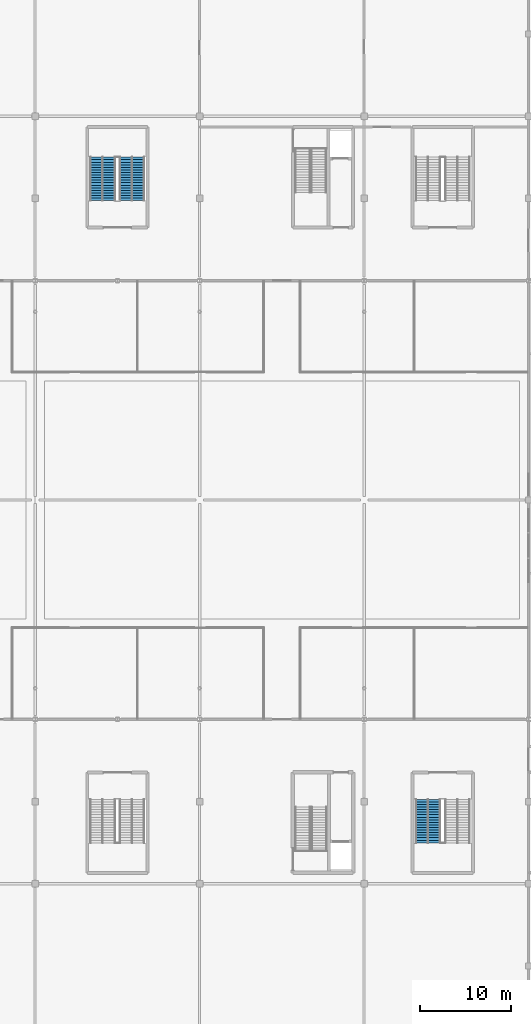
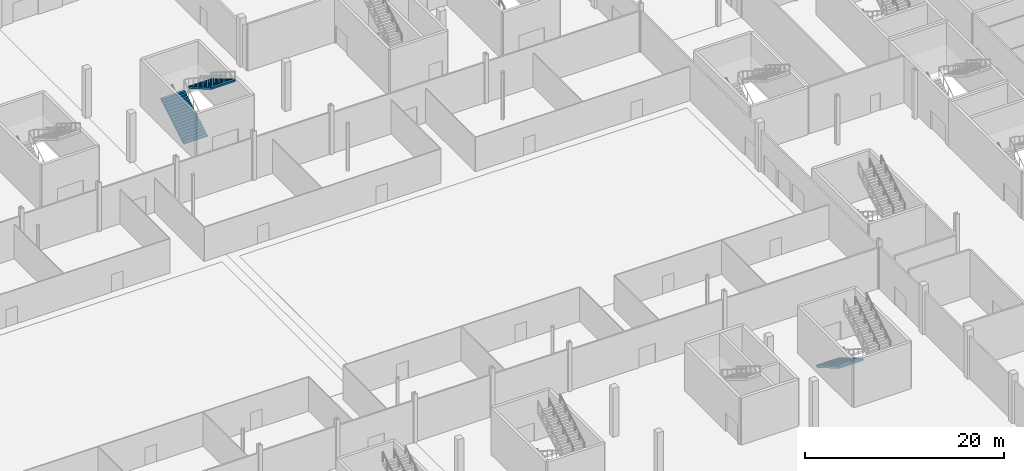
# One storey, part 61 of 84: 3 stair flights, 2 elements without a shape of their own.
"""IFC4 building model written with IfcOpenShell, lengths in metres."""

from ifc_helpers import new_model, si_unit, direction, frame, origin, place, context, subcontext, project, spatial, polygons, material, type_object, element, aggregate, save


model = new_model("IFC4")

# Units and contexts
model_context = context("Model", 3, precision=1e-05, world=origin(), true_north=direction((0.0, 1.0)))
body_context = subcontext(model_context, "Body", "Model", "MODEL_VIEW")
ifc_project = project(units=[si_unit("LENGTHUNIT", "METRE"), si_unit("AREAUNIT", "SQUARE_METRE"), si_unit("VOLUMEUNIT", "CUBIC_METRE"), si_unit("PLANEANGLEUNIT", "RADIAN"), si_unit("MASSUNIT", "GRAM", prefix="KILO")], contexts=[model_context])

# Site, building, storey
site_placement = place(None, origin())
site = spatial("IfcSite", under=ifc_project, at=site_placement, CompositionType="ELEMENT")
building_placement = place(site_placement, origin())
building = spatial("IfcBuilding", under=site, at=building_placement, Name="Kisiwana Market Hall", CompositionType="ELEMENT")
storey_placement = place(building_placement, origin())
storey = spatial("IfcBuildingStorey", under=building, at=storey_placement, Name="L00", CompositionType="ELEMENT", Elevation=0.0)

# Stair, stair flights
ifc_material_1 = material(Name="Concrete C32/40", Category="concrete")
stair_type = type_object("IfcStairType", Name="ST-ESC-6000", PredefinedType="TWO_STRAIGHT_RUN_STAIR", material=ifc_material_1)
stair_1_placement = place(storey_placement, origin())
stair_1 = element("IfcStair", 1, at=stair_1_placement, inside=storey, type_object=stair_type, Name="Escape stair ST-N5-L00", PredefinedType="TWO_STRAIGHT_RUN_STAIR")
ifc_material_2 = material(Name="Concrete C32/40", Category="concrete")
stair_flight_type = type_object("IfcStairFlightType", Name="SF-ESC-6000", PredefinedType="STRAIGHT", material=ifc_material_2)
stair_flight_1_placement = place(storey_placement, frame((106.389892578125, 92.760009765625, 0.0), z_axis=(0.0, 0.0, 1.0), x_axis=(0.0, 1.0, 0.0)))
stair_flight_1 = element("IfcStairFlight", 2, at=stair_flight_1_placement, type_object=stair_flight_type, Name="ST-N5-L00 flight 1", NumberOfRisers=18, NumberOfTreads=17, PredefinedType="STRAIGHT", RiserHeight=0.166667, TreadLength=0.28, context=body_context, shape_type="Tessellation", body=[
    polygons([(0.0, -1.380127, 0.0), (0.0, -0.690125, 0.0), (0.0, -0.000122, 0.0), (0.0, 0.68988, 0.0), (0.0, 1.379883, 0.0), (0.0, -1.380127, 0.166748), (0.0, -0.690125, 0.166748), (0.0, -0.000122, 0.166748), (0.0, 0.68988, 0.166748), (0.0, 1.379883, 0.166748), (0.280029, -1.380127, 0.166748), (0.280029, -0.690125, 0.166748), (0.280029, -0.000122, 0.166748), (0.280029, 0.68988, 0.166748), (0.280029, 1.379883, 0.166748), (0.280029, -1.380127, 0.333252), (0.280029, -0.690125, 0.333252), (0.280029, -0.000122, 0.333252), (0.280029, 0.68988, 0.333252), (0.280029, 1.379883, 0.333252), (0.560059, -1.380127, 0.333252), (0.560059, -0.690125, 0.333252), (0.560059, -0.000122, 0.333252), (0.560059, 0.68988, 0.333252), (0.560059, 1.379883, 0.333252), (0.560059, -1.380127, 0.5), (0.560059, -0.690125, 0.5), (0.560059, -0.000122, 0.5), (0.560059, 0.68988, 0.5), (0.560059, 1.379883, 0.5), (0.840088, -1.380127, 0.5), (0.840088, -0.690125, 0.5), (0.840088, -0.000122, 0.5), (0.840088, 0.68988, 0.5), (0.840088, 1.379883, 0.5), (0.840088, -1.380127, 0.666748), (0.840088, -0.690125, 0.666748), (0.840088, -0.000122, 0.666748), (0.840088, 0.68988, 0.666748), (0.840088, 1.379883, 0.666748), (1.120117, -1.380127, 0.666748), (1.120117, -0.690125, 0.666748), (1.120117, -0.000122, 0.666748), (1.120117, 0.68988, 0.666748), (1.120117, 1.379883, 0.666748), (1.120117, -1.380127, 0.833252), (1.120117, -0.690125, 0.833252), (1.120117, -0.000122, 0.833252), (1.120117, 0.68988, 0.833252), (1.120117, 1.379883, 0.833252), (1.399902, -1.380127, 0.833252), (1.399902, -0.690125, 0.833252), (1.399902, -0.000122, 0.833252), (1.399902, 0.68988, 0.833252), (1.399902, 1.379883, 0.833252), (1.399902, -1.380127, 1.0), (1.399902, -0.690125, 1.0), (1.399902, -0.000122, 1.0), (1.399902, 0.68988, 1.0), (1.399902, 1.379883, 1.0), (1.679932, -1.380127, 1.0), (1.679932, -0.690125, 1.0), (1.679932, -0.000122, 1.0), (1.679932, 0.68988, 1.0), (1.679932, 1.379883, 1.0), (1.679932, -1.380127, 1.166748), (1.679932, -0.690125, 1.166748), (1.679932, -0.000122, 1.166748), (1.679932, 0.68988, 1.166748), (1.679932, 1.379883, 1.166748), (1.959961, -1.380127, 1.166748), (1.959961, -0.690125, 1.166748), (1.959961, -0.000122, 1.166748), (1.959961, 0.68988, 1.166748), (1.959961, 1.379883, 1.166748), (1.959961, -1.380127, 1.333252), (1.959961, -0.690125, 1.333252), (1.959961, -0.000122, 1.333252), (1.959961, 0.68988, 1.333252), (1.959961, 1.379883, 1.333252), (2.23999, -1.380127, 1.333252), (2.23999, -0.690125, 1.333252), (2.23999, -0.000122, 1.333252), (2.23999, 0.68988, 1.333252), (2.23999, 1.379883, 1.333252), (2.23999, -1.380127, 1.5), (2.23999, -0.690125, 1.5), (2.23999, -0.000122, 1.5), (2.23999, 0.68988, 1.5), (2.23999, 1.379883, 1.5), (2.52002, -1.380127, 1.5), (2.52002, -0.690125, 1.5), (2.52002, -0.000122, 1.5), (2.52002, 0.68988, 1.5), (2.52002, 1.379883, 1.5), (2.52002, -1.380127, 1.666748), (2.52002, -0.690125, 1.666748), (2.52002, -0.000122, 1.666748), (2.52002, 0.68988, 1.666748), (2.52002, 1.379883, 1.666748), (2.800049, -1.380127, 1.666748), (2.800049, -0.690125, 1.666748), (2.800049, -0.000122, 1.666748), (2.800049, 0.68988, 1.666748), (2.800049, 1.379883, 1.666748), (2.800049, -1.380127, 1.833252), (2.800049, -0.690125, 1.833252), (2.800049, -0.000122, 1.833252), (2.800049, 0.68988, 1.833252), (2.800049, 1.379883, 1.833252), (3.080078, -1.380127, 1.833252), (3.080078, -0.690125, 1.833252), (3.080078, -0.000122, 1.833252), (3.080078, 0.68988, 1.833252), (3.080078, 1.379883, 1.833252), (3.080078, -1.380127, 2.0), (3.080078, -0.690125, 2.0), (3.080078, -0.000122, 2.0), (3.080078, 0.68988, 2.0), (3.080078, 1.379883, 2.0), (3.360107, -1.380127, 2.0), (3.360107, -0.690125, 2.0), (3.360107, -0.000122, 2.0), (3.360107, 0.68988, 2.0), (3.360107, 1.379883, 2.0), (3.360107, -1.380127, 2.166748), (3.360107, -0.690125, 2.166748), (3.360107, -0.000122, 2.166748), (3.360107, 0.68988, 2.166748), (3.360107, 1.379883, 2.166748), (3.639893, -1.380127, 2.166748), (3.639893, -0.690125, 2.166748), (3.639893, -0.000122, 2.166748), (3.639893, 0.68988, 2.166748), (3.639893, 1.379883, 2.166748), (3.639893, -1.380127, 2.333252), (3.639893, -0.690125, 2.333252), (3.639893, -0.000122, 2.333252), (3.639893, 0.68988, 2.333252), (3.639893, 1.379883, 2.333252), (3.919922, -1.380127, 2.333252), (3.919922, -0.690125, 2.333252), (3.919922, -0.000122, 2.333252), (3.919922, 0.68988, 2.333252), (3.919922, 1.379883, 2.333252), (3.919922, -1.380127, 2.5), (3.919922, -0.690125, 2.5), (3.919922, -0.000122, 2.5), (3.919922, 0.68988, 2.5), (3.919922, 1.379883, 2.5), (4.199951, -1.380127, 2.5), (4.199951, -0.690125, 2.5), (4.199951, -0.000122, 2.5), (4.199951, 0.68988, 2.5), (4.199951, 1.379883, 2.5), (4.199951, -1.380127, 2.666748), (4.199951, -0.690125, 2.666748), (4.199951, -0.000122, 2.666748), (4.199951, 0.68988, 2.666748), (4.199951, 1.379883, 2.666748), (4.47998, -1.380127, 2.666748), (4.47998, -0.690125, 2.666748), (4.47998, -0.000122, 2.666748), (4.47998, 0.68988, 2.666748), (4.47998, 1.379883, 2.666748), (4.47998, -1.380127, 2.833252), (4.47998, -0.690125, 2.833252), (4.47998, -0.000122, 2.833252), (4.47998, 0.68988, 2.833252), (4.47998, 1.379883, 2.833252), (4.76001, -1.380127, 2.833252), (4.76001, -0.690125, 2.833252), (4.76001, -0.000122, 2.833252), (4.76001, 0.68988, 2.833252), (4.76001, 1.379883, 2.833252), (4.76001, -1.380127, 2.624023), (4.76001, -0.690125, 2.624023), (4.76001, -0.000122, 2.624023), (4.76001, 0.68988, 2.624023), (4.76001, 1.379883, 2.624023), (0.351807, -1.380127, 0.0), (0.351807, -0.690125, 0.0), (0.351807, -0.000122, 0.0), (0.351807, 0.68988, 0.0), (0.351807, 1.379883, 0.0)], [[[1, 6, 7, 2]], [[2, 7, 8, 3]], [[3, 8, 9, 4]], [[4, 9, 10, 5]], [[6, 11, 12, 7]], [[7, 12, 13, 8]], [[8, 13, 14, 9]], [[9, 14, 15, 10]], [[11, 16, 17, 12]], [[12, 17, 18, 13]], [[13, 18, 19, 14]], [[14, 19, 20, 15]], [[16, 21, 22, 17]], [[17, 22, 23, 18]], [[18, 23, 24, 19]], [[19, 24, 25, 20]], [[21, 26, 27, 22]], [[22, 27, 28, 23]], [[23, 28, 29, 24]], [[24, 29, 30, 25]], [[26, 31, 32, 27]], [[27, 32, 33, 28]], [[28, 33, 34, 29]], [[29, 34, 35, 30]], [[31, 36, 37, 32]], [[32, 37, 38, 33]], [[33, 38, 39, 34]], [[34, 39, 40, 35]], [[36, 41, 42, 37]], [[37, 42, 43, 38]], [[38, 43, 44, 39]], [[39, 44, 45, 40]], [[41, 46, 47, 42]], [[42, 47, 48, 43]], [[43, 48, 49, 44]], [[44, 49, 50, 45]], [[46, 51, 52, 47]], [[47, 52, 53, 48]], [[48, 53, 54, 49]], [[49, 54, 55, 50]], [[51, 56, 57, 52]], [[52, 57, 58, 53]], [[53, 58, 59, 54]], [[54, 59, 60, 55]], [[56, 61, 62, 57]], [[57, 62, 63, 58]], [[58, 63, 64, 59]], [[59, 64, 65, 60]], [[61, 66, 67, 62]], [[62, 67, 68, 63]], [[63, 68, 69, 64]], [[64, 69, 70, 65]], [[66, 71, 72, 67]], [[67, 72, 73, 68]], [[68, 73, 74, 69]], [[69, 74, 75, 70]], [[71, 76, 77, 72]], [[72, 77, 78, 73]], [[73, 78, 79, 74]], [[74, 79, 80, 75]], [[76, 81, 82, 77]], [[77, 82, 83, 78]], [[78, 83, 84, 79]], [[79, 84, 85, 80]], [[81, 86, 87, 82]], [[82, 87, 88, 83]], [[83, 88, 89, 84]], [[84, 89, 90, 85]], [[86, 91, 92, 87]], [[87, 92, 93, 88]], [[88, 93, 94, 89]], [[89, 94, 95, 90]], [[91, 96, 97, 92]], [[92, 97, 98, 93]], [[93, 98, 99, 94]], [[94, 99, 100, 95]], [[96, 101, 102, 97]], [[97, 102, 103, 98]], [[98, 103, 104, 99]], [[99, 104, 105, 100]], [[101, 106, 107, 102]], [[102, 107, 108, 103]], [[103, 108, 109, 104]], [[104, 109, 110, 105]], [[106, 111, 112, 107]], [[107, 112, 113, 108]], [[108, 113, 114, 109]], [[109, 114, 115, 110]], [[111, 116, 117, 112]], [[112, 117, 118, 113]], [[113, 118, 119, 114]], [[114, 119, 120, 115]], [[116, 121, 122, 117]], [[117, 122, 123, 118]], [[118, 123, 124, 119]], [[119, 124, 125, 120]], [[121, 126, 127, 122]], [[122, 127, 128, 123]], [[123, 128, 129, 124]], [[124, 129, 130, 125]], [[126, 131, 132, 127]], [[127, 132, 133, 128]], [[128, 133, 134, 129]], [[129, 134, 135, 130]], [[131, 136, 137, 132]], [[132, 137, 138, 133]], [[133, 138, 139, 134]], [[134, 139, 140, 135]], [[136, 141, 142, 137]], [[137, 142, 143, 138]], [[138, 143, 144, 139]], [[139, 144, 145, 140]], [[141, 146, 147, 142]], [[142, 147, 148, 143]], [[143, 148, 149, 144]], [[144, 149, 150, 145]], [[146, 151, 152, 147]], [[147, 152, 153, 148]], [[148, 153, 154, 149]], [[149, 154, 155, 150]], [[151, 156, 157, 152]], [[152, 157, 158, 153]], [[153, 158, 159, 154]], [[154, 159, 160, 155]], [[156, 161, 162, 157]], [[157, 162, 163, 158]], [[158, 163, 164, 159]], [[159, 164, 165, 160]], [[161, 166, 167, 162]], [[162, 167, 168, 163]], [[163, 168, 169, 164]], [[164, 169, 170, 165]], [[166, 171, 172, 167]], [[167, 172, 173, 168]], [[168, 173, 174, 169]], [[169, 174, 175, 170]], [[171, 176, 177, 172]], [[172, 177, 178, 173]], [[173, 178, 179, 174]], [[174, 179, 180, 175]], [[176, 181, 182, 177]], [[177, 182, 183, 178]], [[178, 183, 184, 179]], [[179, 184, 185, 180]], [[181, 1, 2, 182]], [[182, 2, 3, 183]], [[183, 3, 4, 184]], [[184, 4, 5, 185]], [[181, 176, 171, 166, 161, 156, 151, 146, 141, 136, 131, 126, 121, 116, 111, 106, 101, 96, 91, 86, 81, 76, 71, 66, 61, 56, 51, 46, 41, 36, 31, 26, 21, 16, 11, 6, 1]], [[5, 10, 15, 20, 25, 30, 35, 40, 45, 50, 55, 60, 65, 70, 75, 80, 85, 90, 95, 100, 105, 110, 115, 120, 125, 130, 135, 140, 145, 150, 155, 160, 165, 170, 175, 180, 185]]], closed=True),
])
stair_flight_2_placement = place(storey_placement, frame((109.610107421875, 97.52001953125, 3.0), z_axis=(0.0, 0.0, 1.0), x_axis=(0.0, -1.0, 0.0)))
stair_flight_2 = element("IfcStairFlight", 3, at=stair_flight_2_placement, type_object=stair_flight_type, Name="ST-N5-L00 flight 2", NumberOfRisers=18, NumberOfTreads=17, PredefinedType="STRAIGHT", RiserHeight=0.166667, TreadLength=0.28, context=body_context, shape_type="Tessellation", body=[
    polygons([(0.0, -1.380127, 0.0), (0.0, -0.690125, 0.0), (0.0, -0.000122, 0.0), (0.0, 0.68988, 0.0), (0.0, 1.379883, 0.0), (0.0, -1.380127, 0.166748), (0.0, -0.690125, 0.166748), (0.0, -0.000122, 0.166748), (0.0, 0.68988, 0.166748), (0.0, 1.379883, 0.166748), (0.280029, -1.380127, 0.166748), (0.280029, -0.690125, 0.166748), (0.280029, -0.000122, 0.166748), (0.280029, 0.68988, 0.166748), (0.280029, 1.379883, 0.166748), (0.280029, -1.380127, 0.333252), (0.280029, -0.690125, 0.333252), (0.280029, -0.000122, 0.333252), (0.280029, 0.68988, 0.333252), (0.280029, 1.379883, 0.333252), (0.560059, -1.380127, 0.333252), (0.560059, -0.690125, 0.333252), (0.560059, -0.000122, 0.333252), (0.560059, 0.68988, 0.333252), (0.560059, 1.379883, 0.333252), (0.560059, -1.380127, 0.5), (0.560059, -0.690125, 0.5), (0.560059, -0.000122, 0.5), (0.560059, 0.68988, 0.5), (0.560059, 1.379883, 0.5), (0.840088, -1.380127, 0.5), (0.840088, -0.690125, 0.5), (0.840088, -0.000122, 0.5), (0.840088, 0.68988, 0.5), (0.840088, 1.379883, 0.5), (0.840088, -1.380127, 0.666748), (0.840088, -0.690125, 0.666748), (0.840088, -0.000122, 0.666748), (0.840088, 0.68988, 0.666748), (0.840088, 1.379883, 0.666748), (1.120117, -1.380127, 0.666748), (1.120117, -0.690125, 0.666748), (1.120117, -0.000122, 0.666748), (1.120117, 0.68988, 0.666748), (1.120117, 1.379883, 0.666748), (1.120117, -1.380127, 0.833252), (1.120117, -0.690125, 0.833252), (1.120117, -0.000122, 0.833252), (1.120117, 0.68988, 0.833252), (1.120117, 1.379883, 0.833252), (1.399902, -1.380127, 0.833252), (1.399902, -0.690125, 0.833252), (1.399902, -0.000122, 0.833252), (1.399902, 0.68988, 0.833252), (1.399902, 1.379883, 0.833252), (1.399902, -1.380127, 1.0), (1.399902, -0.690125, 1.0), (1.399902, -0.000122, 1.0), (1.399902, 0.68988, 1.0), (1.399902, 1.379883, 1.0), (1.679932, -1.380127, 1.0), (1.679932, -0.690125, 1.0), (1.679932, -0.000122, 1.0), (1.679932, 0.68988, 1.0), (1.679932, 1.379883, 1.0), (1.679932, -1.380127, 1.166748), (1.679932, -0.690125, 1.166748), (1.679932, -0.000122, 1.166748), (1.679932, 0.68988, 1.166748), (1.679932, 1.379883, 1.166748), (1.959961, -1.380127, 1.166748), (1.959961, -0.690125, 1.166748), (1.959961, -0.000122, 1.166748), (1.959961, 0.68988, 1.166748), (1.959961, 1.379883, 1.166748), (1.959961, -1.380127, 1.333252), (1.959961, -0.690125, 1.333252), (1.959961, -0.000122, 1.333252), (1.959961, 0.68988, 1.333252), (1.959961, 1.379883, 1.333252), (2.23999, -1.380127, 1.333252), (2.23999, -0.690125, 1.333252), (2.23999, -0.000122, 1.333252), (2.23999, 0.68988, 1.333252), (2.23999, 1.379883, 1.333252), (2.23999, -1.380127, 1.5), (2.23999, -0.690125, 1.5), (2.23999, -0.000122, 1.5), (2.23999, 0.68988, 1.5), (2.23999, 1.379883, 1.5), (2.52002, -1.380127, 1.5), (2.52002, -0.690125, 1.5), (2.52002, -0.000122, 1.5), (2.52002, 0.68988, 1.5), (2.52002, 1.379883, 1.5), (2.52002, -1.380127, 1.666748), (2.52002, -0.690125, 1.666748), (2.52002, -0.000122, 1.666748), (2.52002, 0.68988, 1.666748), (2.52002, 1.379883, 1.666748), (2.800049, -1.380127, 1.666748), (2.800049, -0.690125, 1.666748), (2.800049, -0.000122, 1.666748), (2.800049, 0.68988, 1.666748), (2.800049, 1.379883, 1.666748), (2.800049, -1.380127, 1.833252), (2.800049, -0.690125, 1.833252), (2.800049, -0.000122, 1.833252), (2.800049, 0.68988, 1.833252), (2.800049, 1.379883, 1.833252), (3.080078, -1.380127, 1.833252), (3.080078, -0.690125, 1.833252), (3.080078, -0.000122, 1.833252), (3.080078, 0.68988, 1.833252), (3.080078, 1.379883, 1.833252), (3.080078, -1.380127, 2.0), (3.080078, -0.690125, 2.0), (3.080078, -0.000122, 2.0), (3.080078, 0.68988, 2.0), (3.080078, 1.379883, 2.0), (3.360107, -1.380127, 2.0), (3.360107, -0.690125, 2.0), (3.360107, -0.000122, 2.0), (3.360107, 0.68988, 2.0), (3.360107, 1.379883, 2.0), (3.360107, -1.380127, 2.166748), (3.360107, -0.690125, 2.166748), (3.360107, -0.000122, 2.166748), (3.360107, 0.68988, 2.166748), (3.360107, 1.379883, 2.166748), (3.639893, -1.380127, 2.166748), (3.639893, -0.690125, 2.166748), (3.639893, -0.000122, 2.166748), (3.639893, 0.68988, 2.166748), (3.639893, 1.379883, 2.166748), (3.639893, -1.380127, 2.333252), (3.639893, -0.690125, 2.333252), (3.639893, -0.000122, 2.333252), (3.639893, 0.68988, 2.333252), (3.639893, 1.379883, 2.333252), (3.919922, -1.380127, 2.333252), (3.919922, -0.690125, 2.333252), (3.919922, -0.000122, 2.333252), (3.919922, 0.68988, 2.333252), (3.919922, 1.379883, 2.333252), (3.919922, -1.380127, 2.5), (3.919922, -0.690125, 2.5), (3.919922, -0.000122, 2.5), (3.919922, 0.68988, 2.5), (3.919922, 1.379883, 2.5), (4.199951, -1.380127, 2.5), (4.199951, -0.690125, 2.5), (4.199951, -0.000122, 2.5), (4.199951, 0.68988, 2.5), (4.199951, 1.379883, 2.5), (4.199951, -1.380127, 2.666748), (4.199951, -0.690125, 2.666748), (4.199951, -0.000122, 2.666748), (4.199951, 0.68988, 2.666748), (4.199951, 1.379883, 2.666748), (4.47998, -1.380127, 2.666748), (4.47998, -0.690125, 2.666748), (4.47998, -0.000122, 2.666748), (4.47998, 0.68988, 2.666748), (4.47998, 1.379883, 2.666748), (4.47998, -1.380127, 2.833252), (4.47998, -0.690125, 2.833252), (4.47998, -0.000122, 2.833252), (4.47998, 0.68988, 2.833252), (4.47998, 1.379883, 2.833252), (4.76001, -1.380127, 2.833252), (4.76001, -0.690125, 2.833252), (4.76001, -0.000122, 2.833252), (4.76001, 0.68988, 2.833252), (4.76001, 1.379883, 2.833252), (4.76001, -1.380127, 2.624023), (4.76001, -0.690125, 2.624023), (4.76001, -0.000122, 2.624023), (4.76001, 0.68988, 2.624023), (4.76001, 1.379883, 2.624023), (0.351807, -1.380127, 0.0), (0.351807, -0.690125, 0.0), (0.351807, -0.000122, 0.0), (0.351807, 0.68988, 0.0), (0.351807, 1.379883, 0.0)], [[[1, 6, 7, 2]], [[2, 7, 8, 3]], [[3, 8, 9, 4]], [[4, 9, 10, 5]], [[6, 11, 12, 7]], [[7, 12, 13, 8]], [[8, 13, 14, 9]], [[9, 14, 15, 10]], [[11, 16, 17, 12]], [[12, 17, 18, 13]], [[13, 18, 19, 14]], [[14, 19, 20, 15]], [[16, 21, 22, 17]], [[17, 22, 23, 18]], [[18, 23, 24, 19]], [[19, 24, 25, 20]], [[21, 26, 27, 22]], [[22, 27, 28, 23]], [[23, 28, 29, 24]], [[24, 29, 30, 25]], [[26, 31, 32, 27]], [[27, 32, 33, 28]], [[28, 33, 34, 29]], [[29, 34, 35, 30]], [[31, 36, 37, 32]], [[32, 37, 38, 33]], [[33, 38, 39, 34]], [[34, 39, 40, 35]], [[36, 41, 42, 37]], [[37, 42, 43, 38]], [[38, 43, 44, 39]], [[39, 44, 45, 40]], [[41, 46, 47, 42]], [[42, 47, 48, 43]], [[43, 48, 49, 44]], [[44, 49, 50, 45]], [[46, 51, 52, 47]], [[47, 52, 53, 48]], [[48, 53, 54, 49]], [[49, 54, 55, 50]], [[51, 56, 57, 52]], [[52, 57, 58, 53]], [[53, 58, 59, 54]], [[54, 59, 60, 55]], [[56, 61, 62, 57]], [[57, 62, 63, 58]], [[58, 63, 64, 59]], [[59, 64, 65, 60]], [[61, 66, 67, 62]], [[62, 67, 68, 63]], [[63, 68, 69, 64]], [[64, 69, 70, 65]], [[66, 71, 72, 67]], [[67, 72, 73, 68]], [[68, 73, 74, 69]], [[69, 74, 75, 70]], [[71, 76, 77, 72]], [[72, 77, 78, 73]], [[73, 78, 79, 74]], [[74, 79, 80, 75]], [[76, 81, 82, 77]], [[77, 82, 83, 78]], [[78, 83, 84, 79]], [[79, 84, 85, 80]], [[81, 86, 87, 82]], [[82, 87, 88, 83]], [[83, 88, 89, 84]], [[84, 89, 90, 85]], [[86, 91, 92, 87]], [[87, 92, 93, 88]], [[88, 93, 94, 89]], [[89, 94, 95, 90]], [[91, 96, 97, 92]], [[92, 97, 98, 93]], [[93, 98, 99, 94]], [[94, 99, 100, 95]], [[96, 101, 102, 97]], [[97, 102, 103, 98]], [[98, 103, 104, 99]], [[99, 104, 105, 100]], [[101, 106, 107, 102]], [[102, 107, 108, 103]], [[103, 108, 109, 104]], [[104, 109, 110, 105]], [[106, 111, 112, 107]], [[107, 112, 113, 108]], [[108, 113, 114, 109]], [[109, 114, 115, 110]], [[111, 116, 117, 112]], [[112, 117, 118, 113]], [[113, 118, 119, 114]], [[114, 119, 120, 115]], [[116, 121, 122, 117]], [[117, 122, 123, 118]], [[118, 123, 124, 119]], [[119, 124, 125, 120]], [[121, 126, 127, 122]], [[122, 127, 128, 123]], [[123, 128, 129, 124]], [[124, 129, 130, 125]], [[126, 131, 132, 127]], [[127, 132, 133, 128]], [[128, 133, 134, 129]], [[129, 134, 135, 130]], [[131, 136, 137, 132]], [[132, 137, 138, 133]], [[133, 138, 139, 134]], [[134, 139, 140, 135]], [[136, 141, 142, 137]], [[137, 142, 143, 138]], [[138, 143, 144, 139]], [[139, 144, 145, 140]], [[141, 146, 147, 142]], [[142, 147, 148, 143]], [[143, 148, 149, 144]], [[144, 149, 150, 145]], [[146, 151, 152, 147]], [[147, 152, 153, 148]], [[148, 153, 154, 149]], [[149, 154, 155, 150]], [[151, 156, 157, 152]], [[152, 157, 158, 153]], [[153, 158, 159, 154]], [[154, 159, 160, 155]], [[156, 161, 162, 157]], [[157, 162, 163, 158]], [[158, 163, 164, 159]], [[159, 164, 165, 160]], [[161, 166, 167, 162]], [[162, 167, 168, 163]], [[163, 168, 169, 164]], [[164, 169, 170, 165]], [[166, 171, 172, 167]], [[167, 172, 173, 168]], [[168, 173, 174, 169]], [[169, 174, 175, 170]], [[171, 176, 177, 172]], [[172, 177, 178, 173]], [[173, 178, 179, 174]], [[174, 179, 180, 175]], [[176, 181, 182, 177]], [[177, 182, 183, 178]], [[178, 183, 184, 179]], [[179, 184, 185, 180]], [[181, 1, 2, 182]], [[182, 2, 3, 183]], [[183, 3, 4, 184]], [[184, 4, 5, 185]], [[181, 176, 171, 166, 161, 156, 151, 146, 141, 136, 131, 126, 121, 116, 111, 106, 101, 96, 91, 86, 81, 76, 71, 66, 61, 56, 51, 46, 41, 36, 31, 26, 21, 16, 11, 6, 1]], [[5, 10, 15, 20, 25, 30, 35, 40, 45, 50, 55, 60, 65, 70, 75, 80, 85, 90, 95, 100, 105, 110, 115, 120, 125, 130, 135, 140, 145, 150, 155, 160, 165, 170, 175, 180, 185]]], closed=True),
])
aggregate(stair_1, [stair_flight_1, stair_flight_2])

# Stair, stair flight
stair_2_placement = place(storey_placement, origin())
stair_2 = element("IfcStair", 4, at=stair_2_placement, inside=storey, type_object=stair_type, Name="Escape stair ST-S6-L00", PredefinedType="TWO_STRAIGHT_RUN_STAIR")
stair_flight_3_placement = place(storey_placement, frame((141.989990234375, 27.239990234375, 0.0), z_axis=(0.0, 0.0, 1.0), x_axis=(0.0, -1.0, 0.0)))
stair_flight_3 = element("IfcStairFlight", 5, at=stair_flight_3_placement, type_object=stair_flight_type, Name="ST-S6-L00 flight 1", NumberOfRisers=18, NumberOfTreads=17, PredefinedType="STRAIGHT", RiserHeight=0.166667, TreadLength=0.28, context=body_context, shape_type="Tessellation", body=[
    polygons([(0.0, -1.380127, 0.0), (0.0, -0.690125, 0.0), (0.0, -0.000122, 0.0), (0.0, 0.68988, 0.0), (0.0, 1.379883, 0.0), (0.0, -1.380127, 0.166748), (0.0, -0.690125, 0.166748), (0.0, -0.000122, 0.166748), (0.0, 0.68988, 0.166748), (0.0, 1.379883, 0.166748), (0.280029, -1.380127, 0.166748), (0.280029, -0.690125, 0.166748), (0.280029, -0.000122, 0.166748), (0.280029, 0.68988, 0.166748), (0.280029, 1.379883, 0.166748), (0.280029, -1.380127, 0.333252), (0.280029, -0.690125, 0.333252), (0.280029, -0.000122, 0.333252), (0.280029, 0.68988, 0.333252), (0.280029, 1.379883, 0.333252), (0.560059, -1.380127, 0.333252), (0.560059, -0.690125, 0.333252), (0.560059, -0.000122, 0.333252), (0.560059, 0.68988, 0.333252), (0.560059, 1.379883, 0.333252), (0.560059, -1.380127, 0.5), (0.560059, -0.690125, 0.5), (0.560059, -0.000122, 0.5), (0.560059, 0.68988, 0.5), (0.560059, 1.379883, 0.5), (0.840088, -1.380127, 0.5), (0.840088, -0.690125, 0.5), (0.840088, -0.000122, 0.5), (0.840088, 0.68988, 0.5), (0.840088, 1.379883, 0.5), (0.840088, -1.380127, 0.666748), (0.840088, -0.690125, 0.666748), (0.840088, -0.000122, 0.666748), (0.840088, 0.68988, 0.666748), (0.840088, 1.379883, 0.666748), (1.120117, -1.380127, 0.666748), (1.120117, -0.690125, 0.666748), (1.120117, -0.000122, 0.666748), (1.120117, 0.68988, 0.666748), (1.120117, 1.379883, 0.666748), (1.120117, -1.380127, 0.833252), (1.120117, -0.690125, 0.833252), (1.120117, -0.000122, 0.833252), (1.120117, 0.68988, 0.833252), (1.120117, 1.379883, 0.833252), (1.399902, -1.380127, 0.833252), (1.399902, -0.690125, 0.833252), (1.399902, -0.000122, 0.833252), (1.399902, 0.68988, 0.833252), (1.399902, 1.379883, 0.833252), (1.399902, -1.380127, 1.0), (1.399902, -0.690125, 1.0), (1.399902, -0.000122, 1.0), (1.399902, 0.68988, 1.0), (1.399902, 1.379883, 1.0), (1.679932, -1.380127, 1.0), (1.679932, -0.690125, 1.0), (1.679932, -0.000122, 1.0), (1.679932, 0.68988, 1.0), (1.679932, 1.379883, 1.0), (1.679932, -1.380127, 1.166748), (1.679932, -0.690125, 1.166748), (1.679932, -0.000122, 1.166748), (1.679932, 0.68988, 1.166748), (1.679932, 1.379883, 1.166748), (1.959961, -1.380127, 1.166748), (1.959961, -0.690125, 1.166748), (1.959961, -0.000122, 1.166748), (1.959961, 0.68988, 1.166748), (1.959961, 1.379883, 1.166748), (1.959961, -1.380127, 1.333252), (1.959961, -0.690125, 1.333252), (1.959961, -0.000122, 1.333252), (1.959961, 0.68988, 1.333252), (1.959961, 1.379883, 1.333252), (2.23999, -1.380127, 1.333252), (2.23999, -0.690125, 1.333252), (2.23999, -0.000122, 1.333252), (2.23999, 0.68988, 1.333252), (2.23999, 1.379883, 1.333252), (2.23999, -1.380127, 1.5), (2.23999, -0.690125, 1.5), (2.23999, -0.000122, 1.5), (2.23999, 0.68988, 1.5), (2.23999, 1.379883, 1.5), (2.52002, -1.380127, 1.5), (2.52002, -0.690125, 1.5), (2.52002, -0.000122, 1.5), (2.52002, 0.68988, 1.5), (2.52002, 1.379883, 1.5), (2.52002, -1.380127, 1.666748), (2.52002, -0.690125, 1.666748), (2.52002, -0.000122, 1.666748), (2.52002, 0.68988, 1.666748), (2.52002, 1.379883, 1.666748), (2.800049, -1.380127, 1.666748), (2.800049, -0.690125, 1.666748), (2.800049, -0.000122, 1.666748), (2.800049, 0.68988, 1.666748), (2.800049, 1.379883, 1.666748), (2.800049, -1.380127, 1.833252), (2.800049, -0.690125, 1.833252), (2.800049, -0.000122, 1.833252), (2.800049, 0.68988, 1.833252), (2.800049, 1.379883, 1.833252), (3.080078, -1.380127, 1.833252), (3.080078, -0.690125, 1.833252), (3.080078, -0.000122, 1.833252), (3.080078, 0.68988, 1.833252), (3.080078, 1.379883, 1.833252), (3.080078, -1.380127, 2.0), (3.080078, -0.690125, 2.0), (3.080078, -0.000122, 2.0), (3.080078, 0.68988, 2.0), (3.080078, 1.379883, 2.0), (3.360107, -1.380127, 2.0), (3.360107, -0.690125, 2.0), (3.360107, -0.000122, 2.0), (3.360107, 0.68988, 2.0), (3.360107, 1.379883, 2.0), (3.360107, -1.380127, 2.166748), (3.360107, -0.690125, 2.166748), (3.360107, -0.000122, 2.166748), (3.360107, 0.68988, 2.166748), (3.360107, 1.379883, 2.166748), (3.639893, -1.380127, 2.166748), (3.639893, -0.690125, 2.166748), (3.639893, -0.000122, 2.166748), (3.639893, 0.68988, 2.166748), (3.639893, 1.379883, 2.166748), (3.639893, -1.380127, 2.333252), (3.639893, -0.690125, 2.333252), (3.639893, -0.000122, 2.333252), (3.639893, 0.68988, 2.333252), (3.639893, 1.379883, 2.333252), (3.919922, -1.380127, 2.333252), (3.919922, -0.690125, 2.333252), (3.919922, -0.000122, 2.333252), (3.919922, 0.68988, 2.333252), (3.919922, 1.379883, 2.333252), (3.919922, -1.380127, 2.5), (3.919922, -0.690125, 2.5), (3.919922, -0.000122, 2.5), (3.919922, 0.68988, 2.5), (3.919922, 1.379883, 2.5), (4.199951, -1.380127, 2.5), (4.199951, -0.690125, 2.5), (4.199951, -0.000122, 2.5), (4.199951, 0.68988, 2.5), (4.199951, 1.379883, 2.5), (4.199951, -1.380127, 2.666748), (4.199951, -0.690125, 2.666748), (4.199951, -0.000122, 2.666748), (4.199951, 0.68988, 2.666748), (4.199951, 1.379883, 2.666748), (4.47998, -1.380127, 2.666748), (4.47998, -0.690125, 2.666748), (4.47998, -0.000122, 2.666748), (4.47998, 0.68988, 2.666748), (4.47998, 1.379883, 2.666748), (4.47998, -1.380127, 2.833252), (4.47998, -0.690125, 2.833252), (4.47998, -0.000122, 2.833252), (4.47998, 0.68988, 2.833252), (4.47998, 1.379883, 2.833252), (4.76001, -1.380127, 2.833252), (4.76001, -0.690125, 2.833252), (4.76001, -0.000122, 2.833252), (4.76001, 0.68988, 2.833252), (4.76001, 1.379883, 2.833252), (4.76001, -1.380127, 2.624023), (4.76001, -0.690125, 2.624023), (4.76001, -0.000122, 2.624023), (4.76001, 0.68988, 2.624023), (4.76001, 1.379883, 2.624023), (0.351807, -1.380127, 0.0), (0.351807, -0.690125, 0.0), (0.351807, -0.000122, 0.0), (0.351807, 0.68988, 0.0), (0.351807, 1.379883, 0.0)], [[[1, 6, 7, 2]], [[2, 7, 8, 3]], [[3, 8, 9, 4]], [[4, 9, 10, 5]], [[6, 11, 12, 7]], [[7, 12, 13, 8]], [[8, 13, 14, 9]], [[9, 14, 15, 10]], [[11, 16, 17, 12]], [[12, 17, 18, 13]], [[13, 18, 19, 14]], [[14, 19, 20, 15]], [[16, 21, 22, 17]], [[17, 22, 23, 18]], [[18, 23, 24, 19]], [[19, 24, 25, 20]], [[21, 26, 27, 22]], [[22, 27, 28, 23]], [[23, 28, 29, 24]], [[24, 29, 30, 25]], [[26, 31, 32, 27]], [[27, 32, 33, 28]], [[28, 33, 34, 29]], [[29, 34, 35, 30]], [[31, 36, 37, 32]], [[32, 37, 38, 33]], [[33, 38, 39, 34]], [[34, 39, 40, 35]], [[36, 41, 42, 37]], [[37, 42, 43, 38]], [[38, 43, 44, 39]], [[39, 44, 45, 40]], [[41, 46, 47, 42]], [[42, 47, 48, 43]], [[43, 48, 49, 44]], [[44, 49, 50, 45]], [[46, 51, 52, 47]], [[47, 52, 53, 48]], [[48, 53, 54, 49]], [[49, 54, 55, 50]], [[51, 56, 57, 52]], [[52, 57, 58, 53]], [[53, 58, 59, 54]], [[54, 59, 60, 55]], [[56, 61, 62, 57]], [[57, 62, 63, 58]], [[58, 63, 64, 59]], [[59, 64, 65, 60]], [[61, 66, 67, 62]], [[62, 67, 68, 63]], [[63, 68, 69, 64]], [[64, 69, 70, 65]], [[66, 71, 72, 67]], [[67, 72, 73, 68]], [[68, 73, 74, 69]], [[69, 74, 75, 70]], [[71, 76, 77, 72]], [[72, 77, 78, 73]], [[73, 78, 79, 74]], [[74, 79, 80, 75]], [[76, 81, 82, 77]], [[77, 82, 83, 78]], [[78, 83, 84, 79]], [[79, 84, 85, 80]], [[81, 86, 87, 82]], [[82, 87, 88, 83]], [[83, 88, 89, 84]], [[84, 89, 90, 85]], [[86, 91, 92, 87]], [[87, 92, 93, 88]], [[88, 93, 94, 89]], [[89, 94, 95, 90]], [[91, 96, 97, 92]], [[92, 97, 98, 93]], [[93, 98, 99, 94]], [[94, 99, 100, 95]], [[96, 101, 102, 97]], [[97, 102, 103, 98]], [[98, 103, 104, 99]], [[99, 104, 105, 100]], [[101, 106, 107, 102]], [[102, 107, 108, 103]], [[103, 108, 109, 104]], [[104, 109, 110, 105]], [[106, 111, 112, 107]], [[107, 112, 113, 108]], [[108, 113, 114, 109]], [[109, 114, 115, 110]], [[111, 116, 117, 112]], [[112, 117, 118, 113]], [[113, 118, 119, 114]], [[114, 119, 120, 115]], [[116, 121, 122, 117]], [[117, 122, 123, 118]], [[118, 123, 124, 119]], [[119, 124, 125, 120]], [[121, 126, 127, 122]], [[122, 127, 128, 123]], [[123, 128, 129, 124]], [[124, 129, 130, 125]], [[126, 131, 132, 127]], [[127, 132, 133, 128]], [[128, 133, 134, 129]], [[129, 134, 135, 130]], [[131, 136, 137, 132]], [[132, 137, 138, 133]], [[133, 138, 139, 134]], [[134, 139, 140, 135]], [[136, 141, 142, 137]], [[137, 142, 143, 138]], [[138, 143, 144, 139]], [[139, 144, 145, 140]], [[141, 146, 147, 142]], [[142, 147, 148, 143]], [[143, 148, 149, 144]], [[144, 149, 150, 145]], [[146, 151, 152, 147]], [[147, 152, 153, 148]], [[148, 153, 154, 149]], [[149, 154, 155, 150]], [[151, 156, 157, 152]], [[152, 157, 158, 153]], [[153, 158, 159, 154]], [[154, 159, 160, 155]], [[156, 161, 162, 157]], [[157, 162, 163, 158]], [[158, 163, 164, 159]], [[159, 164, 165, 160]], [[161, 166, 167, 162]], [[162, 167, 168, 163]], [[163, 168, 169, 164]], [[164, 169, 170, 165]], [[166, 171, 172, 167]], [[167, 172, 173, 168]], [[168, 173, 174, 169]], [[169, 174, 175, 170]], [[171, 176, 177, 172]], [[172, 177, 178, 173]], [[173, 178, 179, 174]], [[174, 179, 180, 175]], [[176, 181, 182, 177]], [[177, 182, 183, 178]], [[178, 183, 184, 179]], [[179, 184, 185, 180]], [[181, 1, 2, 182]], [[182, 2, 3, 183]], [[183, 3, 4, 184]], [[184, 4, 5, 185]], [[181, 176, 171, 166, 161, 156, 151, 146, 141, 136, 131, 126, 121, 116, 111, 106, 101, 96, 91, 86, 81, 76, 71, 66, 61, 56, 51, 46, 41, 36, 31, 26, 21, 16, 11, 6, 1]], [[5, 10, 15, 20, 25, 30, 35, 40, 45, 50, 55, 60, 65, 70, 75, 80, 85, 90, 95, 100, 105, 110, 115, 120, 125, 130, 135, 140, 145, 150, 155, 160, 165, 170, 175, 180, 185]]], closed=True),
])
aggregate(stair_2, [stair_flight_3])

save(model, "model.ifc")
